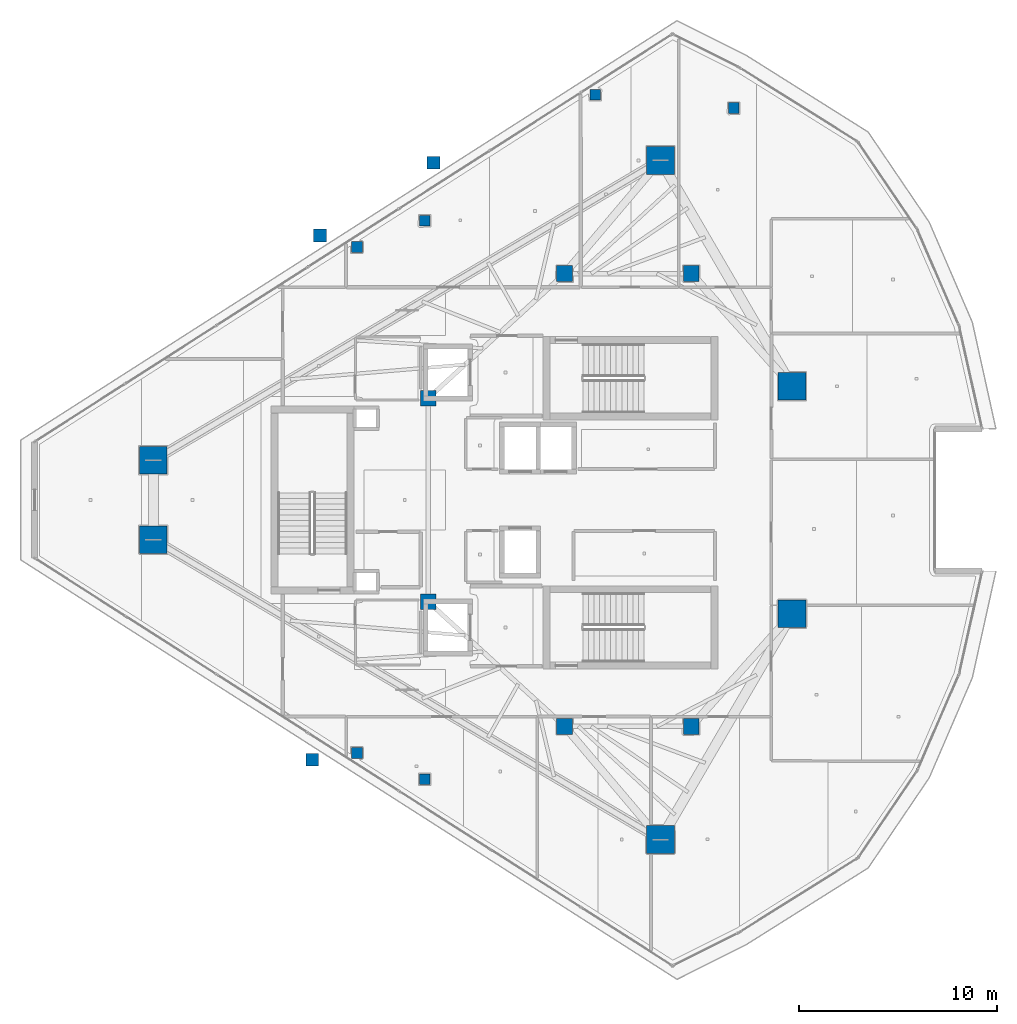
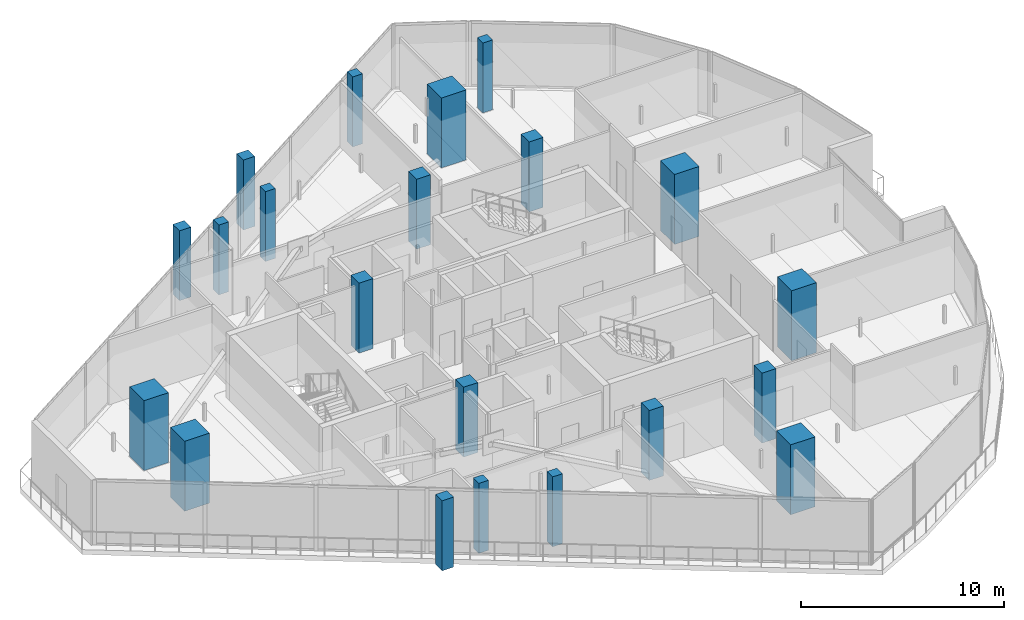
# One storey, part 1 of 30: 21 columns.
"""IFC4 building model written with IfcOpenShell, lengths in metres."""

from ifc_helpers import new_model, si_unit, direction, frame, origin, origin_2d, place, context, subcontext, project, spatial, rectangle, extrude, material, material_profile, profile_set, type_object, element, save


model = new_model("IFC4")

# Units and contexts
model_context = context("Model", 3, precision=1e-05, world=origin(), true_north=direction((0.0, 1.0)))
body_context = subcontext(model_context, "Body", "Model", "MODEL_VIEW")
ifc_project = project(units=[si_unit("LENGTHUNIT", "METRE"), si_unit("AREAUNIT", "SQUARE_METRE"), si_unit("VOLUMEUNIT", "CUBIC_METRE"), si_unit("PLANEANGLEUNIT", "RADIAN"), si_unit("MASSUNIT", "GRAM", prefix="KILO")], contexts=[model_context])

# Site, building, storey
site_placement = place(None, origin())
site = spatial("IfcSite", under=ifc_project, at=site_placement, CompositionType="ELEMENT")
building_placement = place(site_placement, origin())
building = spatial("IfcBuilding", under=site, at=building_placement, Name="Qorvath Tower", CompositionType="ELEMENT")
storey_placement = place(building_placement, frame((0.0, 0.0, 289.199951171875)))
storey = spatial("IfcBuildingStorey", under=building, at=storey_placement, Name="L67", CompositionType="ELEMENT", Elevation=289.199951171875)

# Columns
ifc_material_1 = material(Name="Concrete C50/60", Category="concrete")
ifc_material_profile_1 = material_profile(ifc_material_1, rectangle(XDim=1.39990234375, YDim=1.39990234375, at=origin_2d()), Name="MC 1400x1400")
ifc_profile_set_1 = profile_set([ifc_material_profile_1], Name="Concrete C50/60")
column_type_1 = type_object("IfcColumnType", Name="COL-MC6", PredefinedType="COLUMN", material=ifc_profile_set_1)
for number, where, z_axis, x_axis, name in (
    (1, (-44.402587890625, 2.007568359375, 0.0), (0.0, 0.0, 1.0), (1.0, 0.0, 0.0), "Composite Mega-Column MC1 L67"),
    (2, (-44.402587890625, -2.007568359375, 0.0), (0.0, 0.0, 1.0), (1.0, 0.0, 0.0), "Composite Mega-Column MC2 L67"),
    (3, (-18.75048828125, -17.175537109375, 0.0), (0.0, 0.0, 1.0), (1.0, 0.0, 0.0), "Composite Mega-Column MC3 L67"),
    (4, (-12.0966796875, -5.7578125, 0.0), (0.0, 0.0, 1.0), (1.0, 0.0, 0.0), "Composite Mega-Column MC4 L67"),
    (5, (-12.0966796875, 5.7578125, 0.0), (0.0, 0.0, 1.0), (1.0, 0.0, 0.0), "Composite Mega-Column MC5 L67"),
    (6, (-18.75048828125, 17.175537109375, 0.0), (0.0, 0.0, 1.0), (1.0, 0.0, 0.0), "Composite Mega-Column MC6 L67"),
):
    element("IfcColumn", number, at=place(storey_placement, frame(where, z_axis=z_axis, x_axis=x_axis)), inside=storey, type_object=column_type_1, Name=name, PredefinedType="COLUMN", context=body_context, shape_type="SweptSolid", body=[
        extrude(rectangle(XDim=1.39990234375, YDim=1.39990234375, at=origin_2d()), origin(), (0.0, 0.0, 1.0), 4.199951171875),
    ])
ifc_material_2 = material(Name="Concrete C50/60", Category="concrete")
ifc_material_profile_2 = material_profile(ifc_material_2, rectangle(XDim=0.800048828125, YDim=0.800048828125, at=origin_2d()), Name="RC 800x800")
ifc_profile_set_2 = profile_set([ifc_material_profile_2], Name="Concrete C50/60")
column_type_2 = type_object("IfcColumnType", Name="COL-RC4", PredefinedType="COLUMN", material=ifc_profile_set_2)
for number, where, z_axis, x_axis, name in (
    (7, (-23.60009765625, 11.449951171875, 0.0), (0.0, 0.0, 1.0), (1.0, 0.0, 0.0), "Core Spine Column CC1 L67"),
    (8, (-17.199951171875, 11.449951171875, 0.0), (0.0, 0.0, 1.0), (1.0, 0.0, 0.0), "Core Spine Column CC2 L67"),
    (9, (-17.199951171875, -11.449951171875, 0.0), (0.0, 0.0, 1.0), (1.0, 0.0, 0.0), "Core Spine Column CC3 L67"),
    (10, (-23.60009765625, -11.449951171875, 0.0), (0.0, 0.0, 1.0), (1.0, 0.0, 0.0), "Core Spine Column CC4 L67"),
    (11, (-30.5, 5.14990234375, 0.0), (0.0, 0.0, 1.0), (1.0, 0.0, 0.0), "Core Spine Column CC5 L67"),
    (12, (-30.5, -5.14990234375, 0.0), (0.0, 0.0, 1.0), (1.0, 0.0, 0.0), "Core Spine Column CC6 L67"),
):
    element("IfcColumn", number, at=place(storey_placement, frame(where, z_axis=z_axis, x_axis=x_axis)), inside=storey, type_object=column_type_2, Name=name, PredefinedType="COLUMN", context=body_context, shape_type="SweptSolid", body=[
        extrude(rectangle(XDim=0.800048828125, YDim=0.800048828125, at=origin_2d()), origin(), (0.0, 0.0, 1.0), 4.199951171875),
    ])
ifc_material_3 = material(Name="Concrete C45/55", Category="concrete")
ifc_material_profile_3 = material_profile(ifc_material_3, rectangle(XDim=0.64990234375, YDim=0.64990234375, at=origin_2d()), Name="RC 650x650")
ifc_profile_set_3 = profile_set([ifc_material_profile_3], Name="Concrete C45/55")
column_type_3 = type_object("IfcColumnType", Name="COL-RC6", PredefinedType="COLUMN", material=ifc_profile_set_3)
for number, where, z_axis, x_axis, name in (
    (13, (-35.980712890625, 13.380859375, 0.0), (0.0, 0.0, 1.0), (1.0, 0.0, 0.0), "Loggia Frame Pier Column LGF1 L67"),
    (14, (-36.36474609375, -13.135498046875, 0.0), (0.0, 0.0, 1.0), (1.0, 0.0, 0.0), "Loggia Frame Pier Column LGF2 L67"),
    (15, (-30.224853515625, 17.0595703125, 0.0), (0.0, 0.0, 1.0), (1.0, 0.0, 0.0), "Loggia Frame Pier Column LGF3 L67"),
):
    element("IfcColumn", number, at=place(storey_placement, frame(where, z_axis=z_axis, x_axis=x_axis)), inside=storey, type_object=column_type_3, Name=name, PredefinedType="COLUMN", context=body_context, shape_type="SweptSolid", body=[
        extrude(rectangle(XDim=0.64990234375, YDim=0.64990234375, at=origin_2d()), origin(), (0.0, 0.0, 1.0), 4.199951171875),
    ])
ifc_material_4 = material(Name="Concrete C45/55", Category="concrete")
ifc_material_profile_4 = material_profile(ifc_material_4, rectangle(XDim=0.550048828125, YDim=0.550048828125, at=origin_2d()), Name="RC 550x550")
ifc_profile_set_4 = profile_set([ifc_material_profile_4], Name="Concrete C45/55")
column_type_4 = type_object("IfcColumnType", Name="COL-RC7", PredefinedType="COLUMN", material=ifc_profile_set_4)
for number, where, z_axis, x_axis, name in (
    (16, (-34.104248046875, 12.79248046875, 0.0), (0.0, 0.0, 1.0), (1.0, 0.0, 0.0), "Loggia Frame Pier Column LGG1 L67"),
    (17, (-34.104248046875, -12.79248046875, 0.0), (0.0, 0.0, 1.0), (1.0, 0.0, 0.0), "Loggia Frame Pier Column LGG2 L67"),
    (18, (-22.05322265625, 20.494873046875, 0.0), (0.0, 0.0, 1.0), (1.0, 0.0, 0.0), "Loggia Frame Pier Column LGG3 L67"),
    (19, (-30.67724609375, 14.124267578125, 0.0), (0.0, 0.0, 1.0), (1.0, 0.0, 0.0), "Loggia Frame Pier Column LGH1 L67"),
    (20, (-30.67724609375, -14.124267578125, 0.0), (0.0, 0.0, 1.0), (1.0, 0.0, 0.0), "Loggia Frame Pier Column LGH2 L67"),
    (21, (-15.046142578125, 19.818115234375, 0.0), (0.0, 0.0, 1.0), (1.0, 0.0, 0.0), "Loggia Frame Pier Column LGH3 L67"),
):
    element("IfcColumn", number, at=place(storey_placement, frame(where, z_axis=z_axis, x_axis=x_axis)), inside=storey, type_object=column_type_4, Name=name, PredefinedType="COLUMN", context=body_context, shape_type="SweptSolid", body=[
        extrude(rectangle(XDim=0.550048828125, YDim=0.550048828125, at=origin_2d()), origin(), (0.0, 0.0, 1.0), 4.199951171875),
    ])

save(model, "model.ifc")
